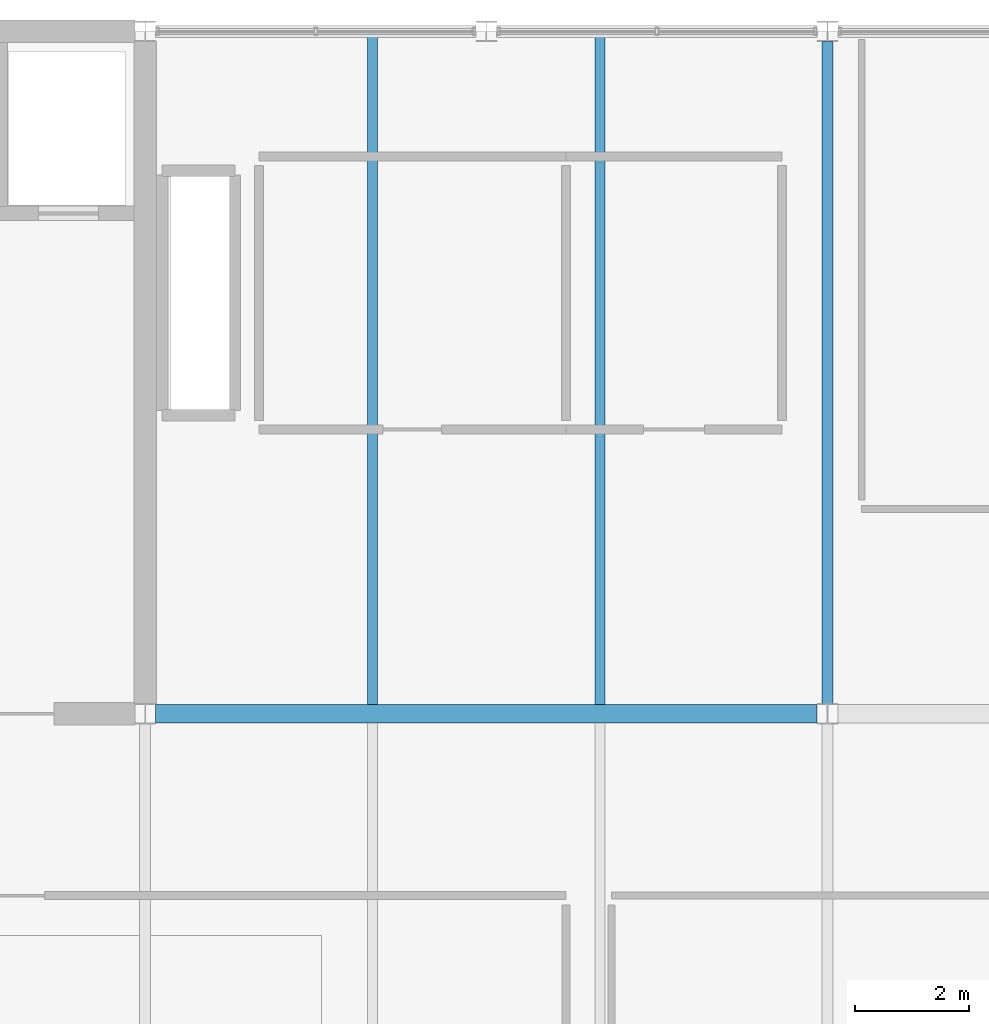
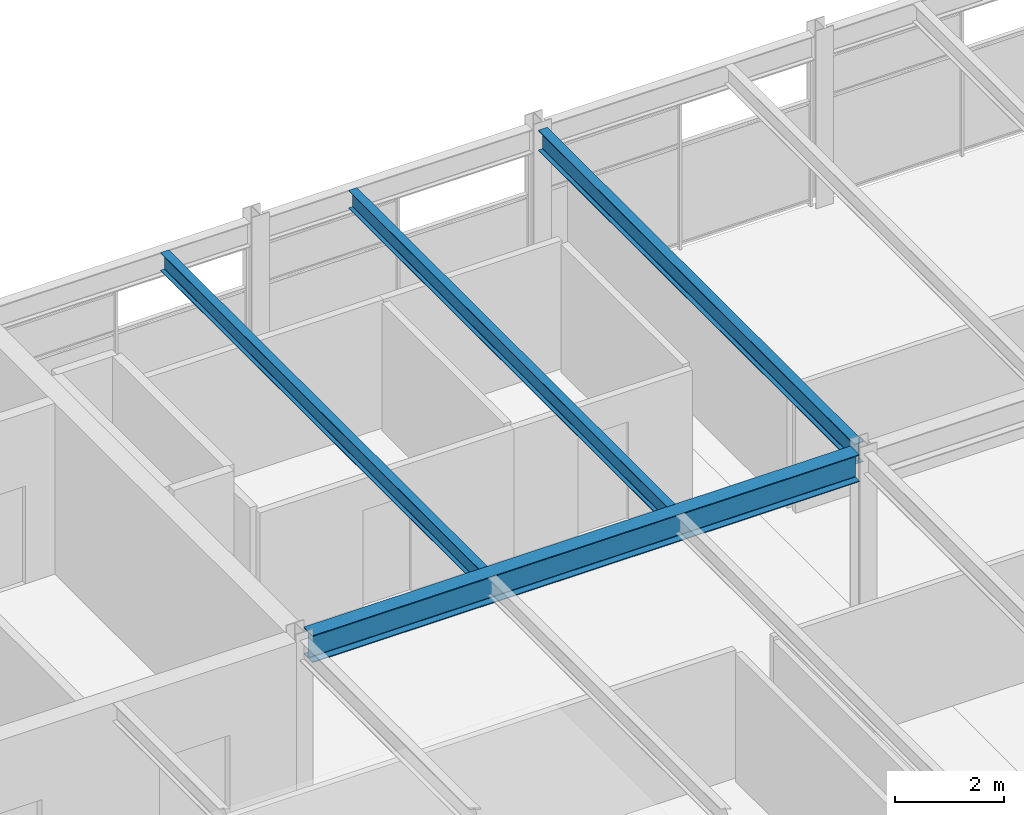
# One storey, part 8 of 32: 4 beams.
"""IFC4 building model written with IfcOpenShell, lengths in metres."""

from ifc_helpers import new_model, si_unit, direction, frame, origin, origin_2d, place, context, subcontext, project, spatial, i_section, extrude, material, material_profile, profile_set, type_object, element, save


model = new_model("IFC4")

# Units and contexts
model_context = context("Model", 3, precision=1e-05, world=origin(), true_north=direction((0.0, 1.0)))
body_context = subcontext(model_context, "Body", "Model", "MODEL_VIEW")
ifc_project = project(units=[si_unit("LENGTHUNIT", "METRE"), si_unit("AREAUNIT", "SQUARE_METRE"), si_unit("VOLUMEUNIT", "CUBIC_METRE"), si_unit("PLANEANGLEUNIT", "RADIAN"), si_unit("MASSUNIT", "GRAM", prefix="KILO")], contexts=[model_context])

# Site, building, storey
site_placement = place(None, origin())
site = spatial("IfcSite", under=ifc_project, at=site_placement, CompositionType="ELEMENT")
building_placement = place(site_placement, origin())
building = spatial("IfcBuilding", under=site, at=building_placement, Name="Girod Span Mobility Hub", CompositionType="ELEMENT")
storey_placement = place(building_placement, frame((0.0, 0.0, 61.60009765625)))
storey = spatial("IfcBuildingStorey", under=building, at=storey_placement, Name="L15", CompositionType="ELEMENT", Elevation=61.60009765625)

# Beams
ifc_material_1 = material(Name="Steel A992 Grade 50", Category="steel")
ifc_material_profile_1 = material_profile(ifc_material_1, i_section(OverallWidth=0.178955078125, OverallDepth=0.409912109375, WebThickness=0.0087890625, FlangeThickness=0.014404296875, FilletRadius=0.012939453125, at=origin_2d()), Name="W16X45")
ifc_profile_set_1 = profile_set([ifc_material_profile_1], Name="Steel A992 Grade 50")
beam_type_1 = type_object("IfcBeamType", Name="BM-STL-W16X45", PredefinedType="BEAM", material=ifc_profile_set_1)
for number, where, z_axis, x_axis, name in (
    (1, (64.0, 57.158935546875, 3.635009765625), (0.0, 1.0, 0.0), (-1.0, 0.0, 0.0), "Composite Floorbeam 6/E-1 L15"),
    (2, (68.0, 57.158935546875, 3.635009765625), (0.0, 1.0, 0.0), (-1.0, 0.0, 0.0), "Composite Floorbeam 6/E-2 L15"),
):
    element("IfcBeam", number, at=place(storey_placement, frame(where, z_axis=z_axis, x_axis=x_axis)), inside=storey, type_object=beam_type_1, Name=name, PredefinedType="BEAM", context=body_context, shape_type="SweptSolid", body=[
        extrude(i_section(OverallWidth=0.178955078125, OverallDepth=0.409912109375, WebThickness=0.0087890625, FlangeThickness=0.014404296875, FilletRadius=0.012939453125, at=origin_2d()), origin(), (0.0, 0.0, 1.0), 11.738037109375),
    ])
ifc_material_2 = material(Name="Steel A992 Grade 50", Category="steel")
ifc_material_profile_2 = material_profile(ifc_material_2, i_section(OverallWidth=0.19189453125, OverallDepth=0.462890625, WebThickness=0.010498046875, FlangeThickness=0.017578125, FilletRadius=0.013916015625, at=origin_2d()), Name="W18X60")
ifc_profile_set_2 = profile_set([ifc_material_profile_2], Name="Steel A992 Grade 50")
beam_type_2 = type_object("IfcBeamType", Name="BM-STL-W18X60", PredefinedType="BEAM", material=ifc_profile_set_2)
beam_1_placement = place(storey_placement, frame((72.0, 57.175048828125, 3.6083984375), z_axis=(0.0, 1.0, 0.0), x_axis=(-1.0, 0.0, 0.0)))
element("IfcBeam", 3, at=beam_1_placement, inside=storey, type_object=beam_type_2, Name="Tie Girder 7/E-F L15", PredefinedType="BEAM", context=body_context, shape_type="SweptSolid", body=[
    extrude(i_section(OverallWidth=0.19189453125, OverallDepth=0.462890625, WebThickness=0.010498046875, FlangeThickness=0.017578125, FilletRadius=0.013916015625, at=origin_2d()), origin(), (0.0, 0.0, 1.0), 11.64990234375),
])
ifc_material_3 = material(Name="Steel A992 Grade 50", Category="steel")
ifc_material_profile_3 = material_profile(ifc_material_3, i_section(OverallWidth=0.323974609375, OverallDepth=0.611083984375, WebThickness=0.0126953125, FlangeThickness=0.01904296875, FilletRadius=0.014892578125, at=origin_2d()), Name="W24X104")
ifc_profile_set_3 = profile_set([ifc_material_profile_3], Name="Steel A992 Grade 50")
beam_type_3 = type_object("IfcBeamType", Name="BM-STL-W24X104", PredefinedType="BEAM", material=ifc_profile_set_3)
beam_2_placement = place(storey_placement, frame((60.181396484375, 57.0, 3.534423828125), z_axis=(1.0, 0.0, 0.0), x_axis=(0.0, 1.0, 0.0)))
element("IfcBeam", 4, at=beam_2_placement, inside=storey, type_object=beam_type_3, Name="Girder 6-7/E L15", PredefinedType="BEAM", context=body_context, shape_type="SweptSolid", body=[
    extrude(i_section(OverallWidth=0.323974609375, OverallDepth=0.611083984375, WebThickness=0.0126953125, FlangeThickness=0.01904296875, FilletRadius=0.014892578125, at=origin_2d()), origin(), (0.0, 0.0, 1.0), 11.63720703125),
])

save(model, "model.ifc")
